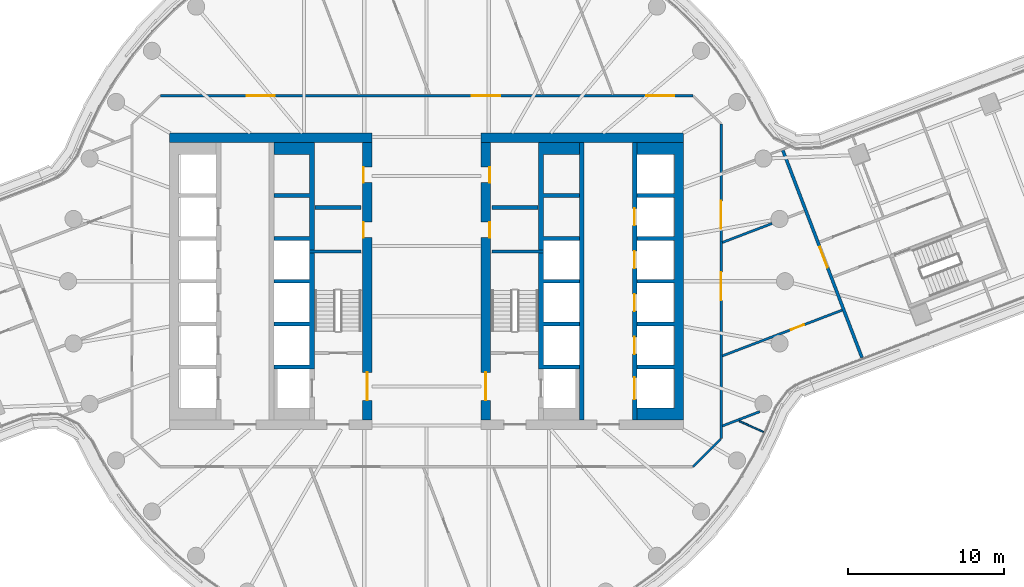
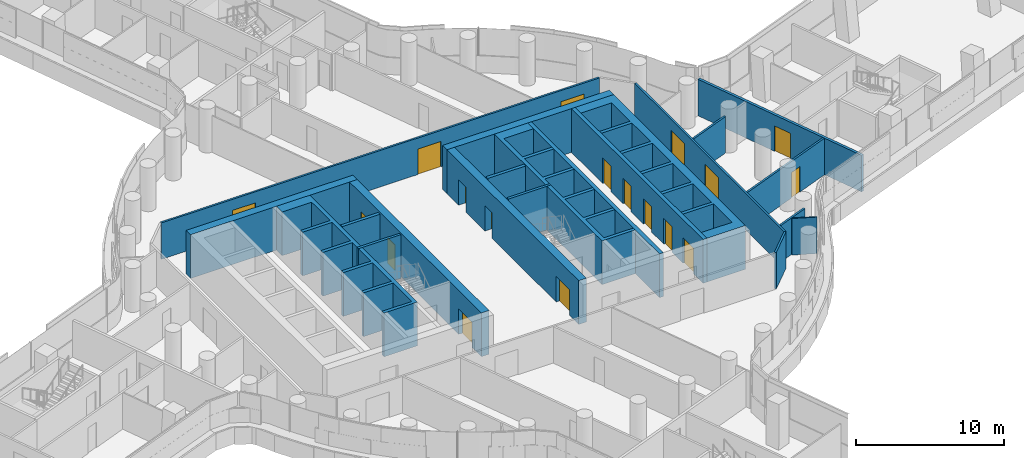
# One storey, part 22 of 32: 21 walls, 18 doors, 18 openings.
"""IFC4 building model written with IfcOpenShell, lengths in metres."""

from ifc_helpers import new_model, si_unit, direction, frame, frame_2d, origin, place, context, subcontext, project, spatial, polyline, rectangle, outline, extrude, material, layer, layer_set, type_object, element, fill, save


model = new_model("IFC4")

# Units and contexts
model_context = context("Model", 3, precision=1e-05, world=origin(), true_north=direction((0.0, 1.0)))
body_context = subcontext(model_context, "Body", "Model", "MODEL_VIEW")
ifc_project = project(units=[si_unit("LENGTHUNIT", "METRE"), si_unit("AREAUNIT", "SQUARE_METRE"), si_unit("VOLUMEUNIT", "CUBIC_METRE"), si_unit("PLANEANGLEUNIT", "RADIAN"), si_unit("MASSUNIT", "GRAM", prefix="KILO")], contexts=[model_context])

# Site, building, storey
site_placement = place(None, origin())
site = spatial("IfcSite", under=ifc_project, at=site_placement, CompositionType="ELEMENT")
building_placement = place(site_placement, origin())
building = spatial("IfcBuilding", under=site, at=building_placement, Name="Tamarind Cross Interchange Tower", CompositionType="ELEMENT")
storey_placement = place(building_placement, frame((0.0, 0.0, 109.75)))
storey = spatial("IfcBuildingStorey", under=building, at=storey_placement, Name="L26", CompositionType="ELEMENT", Elevation=109.75)

# Wall
ifc_material_1 = material(Name="Concrete C70", Category="concrete")
ifc_layer_1 = layer(ifc_material_1, 0.60009765625)
ifc_layer_set_1 = layer_set([ifc_layer_1], Name="Concrete C70")
wall_type_1 = type_object("IfcWallType", Name="Core wall 600 mm Concrete C70", PredefinedType="SHEAR", material=ifc_layer_set_1)
wall_1_placement = place(storey_placement, frame((-16.5, 9.199951171875, 0.0), z_axis=(0.0, 0.0, 1.0), x_axis=(1.0, 0.0, 0.0)))
element("IfcWall", 1, at=wall_1_placement, inside=storey, type_object=wall_type_1, Name="Core wall CWL-L26-W-NE", PredefinedType="SHEAR", context=body_context, shape_type="SweptSolid", body=[
    extrude(rectangle(XDim=13.0, YDim=0.60009765625, at=frame_2d((6.5, 0.0))), origin(), (0.0, 0.0, 1.0), 3.610107421875),
])

# Wall, openings, doors
wall_2_placement = place(storey_placement, frame((-3.800048828125, -8.89990234375, 0.0), z_axis=(0.0, 0.0, 1.0), x_axis=(0.0, 1.0, 0.0)))
wall_2 = element("IfcWall", 2, at=wall_2_placement, inside=storey, type_object=wall_type_1, Name="Core wall CWL-L26-W-IN", PredefinedType="SHEAR", context=body_context, shape_type="SweptSolid", body=[
    extrude(rectangle(XDim=17.7998046875, YDim=0.60009765625, at=frame_2d((8.89990234375, 0.0))), origin(), (0.0, 0.0, 1.0), 3.610107421875),
])
opening_1_placement = place(wall_2_placement, frame((1.25, 0.0, 0.0)))
opening_1 = element("IfcOpeningElement", 3, at=opening_1_placement, cuts=wall_2, Name="Opening DCW4", PredefinedType="OPENING", context=body_context, shape_type="SweptSolid", body=[
    extrude(rectangle(XDim=1.800048828125, YDim=2.10009765625, at=frame_2d((0.89990234375, 1.050048828125))), frame((0.0, 0.31005859375, 0.0), z_axis=(0.0, -1.0, 0.0), x_axis=(1.0, 0.0, 0.0)), (0.0, 0.0, 1.0), 0.6201171875),
])
opening_2_placement = place(wall_2_placement, frame((11.697509765625, 0.0, 0.0)))
opening_2 = element("IfcOpeningElement", 4, at=opening_2_placement, cuts=wall_2, Name="Opening DCW5", PredefinedType="OPENING", context=body_context, shape_type="SweptSolid", body=[
    extrude(rectangle(XDim=1.0, YDim=2.10009765625, at=frame_2d((0.5, 1.050048828125))), frame((0.0, 0.31005859375, 0.0), z_axis=(0.0, -1.0, 0.0), x_axis=(1.0, 0.0, 0.0)), (0.0, 0.0, 1.0), 0.6201171875),
])
opening_3_placement = place(wall_2_placement, frame((15.222412109375, 0.0, 0.0)))
opening_3 = element("IfcOpeningElement", 5, at=opening_3_placement, cuts=wall_2, Name="Opening DCW5", PredefinedType="OPENING", context=body_context, shape_type="SweptSolid", body=[
    extrude(rectangle(XDim=1.0, YDim=2.10009765625, at=frame_2d((0.5, 1.050048828125))), frame((0.0, 0.31005859375, 0.0), z_axis=(0.0, -1.0, 0.0), x_axis=(1.0, 0.0, 0.0)), (0.0, 0.0, 1.0), 0.6201171875),
])
ifc_material_2 = material(Name="Steel, fire-resisting", Category="steel")
door_type_1 = type_object("IfcDoorType", Name="Core fire door 1000 x 2100 FD90", OperationType="SINGLE_SWING_LEFT", PredefinedType="DOOR", material=ifc_material_2)
door_1_placement = place(opening_2_placement, origin())
door_1 = element("IfcDoor", 6, at=door_1_placement, inside=storey, type_object=door_type_1, Name="L26 comms room door", OperationType="SINGLE_SWING_LEFT", OverallHeight=2.10009765625, OverallWidth=1.0, PredefinedType="DOOR", context=body_context, shape_type="SweptSolid", body=[
    extrude(rectangle(XDim=1.0, YDim=2.10009765625, at=frame_2d((0.5, 1.050048828125))), frame((0.0, 0.27490234375, 0.0), z_axis=(0.0, -1.0, 0.0), x_axis=(1.0, 0.0, 0.0)), (0.0, 0.0, 1.0), 0.050048828125),
])
fill(opening_2, door_1)
door_2_placement = place(opening_3_placement, origin())
door_2 = element("IfcDoor", 7, at=door_2_placement, inside=storey, type_object=door_type_1, Name="L26 cleaner's store door", OperationType="SINGLE_SWING_LEFT", OverallHeight=2.10009765625, OverallWidth=1.0, PredefinedType="DOOR", context=body_context, shape_type="SweptSolid", body=[
    extrude(rectangle(XDim=1.0, YDim=2.10009765625, at=frame_2d((0.5, 1.050048828125))), frame((0.0, 0.27490234375, 0.0), z_axis=(0.0, -1.0, 0.0), x_axis=(1.0, 0.0, 0.0)), (0.0, 0.0, 1.0), 0.050048828125),
])
fill(opening_3, door_2)
door_type_2 = type_object("IfcDoorType", Name="Core fire door 1800 x 2100 FD90", OperationType="SINGLE_SWING_LEFT", PredefinedType="DOOR", material=ifc_material_2)
door_3_placement = place(opening_1_placement, origin())
door_3 = element("IfcDoor", 8, at=door_3_placement, inside=storey, type_object=door_type_2, Name="L26 firefighting lobby door", OperationType="SINGLE_SWING_LEFT", OverallHeight=2.10009765625, OverallWidth=1.800048828125, PredefinedType="DOOR", context=body_context, shape_type="SweptSolid", body=[
    extrude(rectangle(XDim=1.800048828125, YDim=2.10009765625, at=frame_2d((0.89990234375, 1.050048828125))), frame((0.0, 0.02490234375, 0.0), z_axis=(0.0, -1.0, 0.0), x_axis=(1.0, 0.0, 0.0)), (0.0, 0.0, 1.0), 0.050048828125),
])
fill(opening_1, door_3)

# Walls
wall_3_placement = place(storey_placement, origin())
element("IfcWall", 9, at=wall_3_placement, inside=storey, type_object=wall_type_1, Name="Core wall CWL-L26-E-A", PredefinedType="SHEAR", context=body_context, shape_type="SweptSolid", body=[
    extrude(outline(polyline([(13.5, -8.89990234375), (15.89990234375, -8.89990234375), (16.5, -8.89990234375), (16.5, 8.89990234375), (15.89990234375, 8.89990234375), (13.5, 8.89990234375), (13.5, 8.125), (15.89990234375, 8.125), (15.89990234375, 5.625), (13.5, 5.625), (13.5, 5.375), (15.89990234375, 5.375), (15.89990234375, 2.875), (13.5, 2.875), (13.5, 2.625), (15.89990234375, 2.625), (15.89990234375, 0.125), (13.5, 0.125), (13.5, -0.125), (15.89990234375, -0.125), (15.89990234375, -2.625), (13.5, -2.625), (13.5, -2.875), (15.89990234375, -2.875), (15.89990234375, -5.375), (13.5, -5.375), (13.5, -5.625), (15.89990234375, -5.625), (15.89990234375, -8.125), (13.5, -8.125), (13.5, -8.89990234375)])), origin(), (0.0, 0.0, 1.0), 3.610107421875),
])
wall_4_placement = place(storey_placement, frame((16.5, 9.199951171875, 0.0), z_axis=(0.0, 0.0, 1.0), x_axis=(-1.0, 0.0, 0.0)))
element("IfcWall", 10, at=wall_4_placement, inside=storey, type_object=wall_type_1, Name="Core wall CWL-L26-E-NE", PredefinedType="SHEAR", context=body_context, shape_type="SweptSolid", body=[
    extrude(rectangle(XDim=13.0, YDim=0.60009765625, at=frame_2d((6.5, 0.0))), origin(), (0.0, 0.0, 1.0), 3.610107421875),
])

# Wall, openings, doors
wall_5_placement = place(storey_placement, frame((3.800048828125, -8.89990234375, 0.0), z_axis=(0.0, 0.0, 1.0), x_axis=(0.0, 1.0, 0.0)))
wall_5 = element("IfcWall", 11, at=wall_5_placement, inside=storey, type_object=wall_type_1, Name="Core wall CWL-L26-E-IN", PredefinedType="SHEAR", context=body_context, shape_type="SweptSolid", body=[
    extrude(rectangle(XDim=17.7998046875, YDim=0.60009765625, at=frame_2d((8.89990234375, 0.0))), origin(), (0.0, 0.0, 1.0), 3.610107421875),
])
opening_4_placement = place(wall_5_placement, frame((1.25, 0.0, 0.0)))
opening_4 = element("IfcOpeningElement", 12, at=opening_4_placement, cuts=wall_5, Name="Opening DCE4", PredefinedType="OPENING", context=body_context, shape_type="SweptSolid", body=[
    extrude(rectangle(XDim=1.800048828125, YDim=2.10009765625, at=frame_2d((0.89990234375, 1.050048828125))), frame((0.0, 0.31005859375, 0.0), z_axis=(0.0, -1.0, 0.0), x_axis=(1.0, 0.0, 0.0)), (0.0, 0.0, 1.0), 0.6201171875),
])
opening_5_placement = place(wall_5_placement, frame((11.697509765625, 0.0, 0.0)))
opening_5 = element("IfcOpeningElement", 13, at=opening_5_placement, cuts=wall_5, Name="Opening DCE5", PredefinedType="OPENING", context=body_context, shape_type="SweptSolid", body=[
    extrude(rectangle(XDim=1.0, YDim=2.10009765625, at=frame_2d((0.5, 1.050048828125))), frame((0.0, 0.31005859375, 0.0), z_axis=(0.0, -1.0, 0.0), x_axis=(1.0, 0.0, 0.0)), (0.0, 0.0, 1.0), 0.6201171875),
])
opening_6_placement = place(wall_5_placement, frame((15.222412109375, 0.0, 0.0)))
opening_6 = element("IfcOpeningElement", 14, at=opening_6_placement, cuts=wall_5, Name="Opening DCE5", PredefinedType="OPENING", context=body_context, shape_type="SweptSolid", body=[
    extrude(rectangle(XDim=1.0, YDim=2.10009765625, at=frame_2d((0.5, 1.050048828125))), frame((0.0, 0.31005859375, 0.0), z_axis=(0.0, -1.0, 0.0), x_axis=(1.0, 0.0, 0.0)), (0.0, 0.0, 1.0), 0.6201171875),
])
door_4_placement = place(opening_5_placement, origin())
door_4 = element("IfcDoor", 15, at=door_4_placement, inside=storey, type_object=door_type_1, Name="L26 comms room door", OperationType="SINGLE_SWING_LEFT", OverallHeight=2.10009765625, OverallWidth=1.0, PredefinedType="DOOR", context=body_context, shape_type="SweptSolid", body=[
    extrude(rectangle(XDim=1.0, YDim=2.10009765625, at=frame_2d((0.5, 1.050048828125))), frame((0.0, -0.22509765625, 0.0), z_axis=(0.0, -1.0, 0.0), x_axis=(1.0, 0.0, 0.0)), (0.0, 0.0, 1.0), 0.050048828125),
])
fill(opening_5, door_4)
door_5_placement = place(opening_6_placement, origin())
door_5 = element("IfcDoor", 16, at=door_5_placement, inside=storey, type_object=door_type_1, Name="L26 cleaner's store door", OperationType="SINGLE_SWING_LEFT", OverallHeight=2.10009765625, OverallWidth=1.0, PredefinedType="DOOR", context=body_context, shape_type="SweptSolid", body=[
    extrude(rectangle(XDim=1.0, YDim=2.10009765625, at=frame_2d((0.5, 1.050048828125))), frame((0.0, -0.22509765625, 0.0), z_axis=(0.0, -1.0, 0.0), x_axis=(1.0, 0.0, 0.0)), (0.0, 0.0, 1.0), 0.050048828125),
])
fill(opening_6, door_5)
door_6_placement = place(opening_4_placement, origin())
door_6 = element("IfcDoor", 17, at=door_6_placement, inside=storey, type_object=door_type_2, Name="L26 firefighting lobby door", OperationType="SINGLE_SWING_LEFT", OverallHeight=2.10009765625, OverallWidth=1.800048828125, PredefinedType="DOOR", context=body_context, shape_type="SweptSolid", body=[
    extrude(rectangle(XDim=1.800048828125, YDim=2.10009765625, at=frame_2d((0.89990234375, 1.050048828125))), frame((0.0, 0.02490234375, 0.0), z_axis=(0.0, -1.0, 0.0), x_axis=(1.0, 0.0, 0.0)), (0.0, 0.0, 1.0), 0.050048828125),
])
fill(opening_4, door_6)

# Walls
ifc_layer_2 = layer(ifc_material_1, 0.199951171875)
ifc_layer_set_2 = layer_set([ifc_layer_2], Name="Concrete C70")
wall_type_2 = type_object("IfcWallType", Name="Core web wall 200 mm Concrete C70", PredefinedType="SHEAR", material=ifc_layer_set_2)
for number, where, z_axis, x_axis, name in (
    (18, (-7.5, 1.89990234375, 0.0), (0.0, 0.0, 1.0), (1.0, 0.0, 0.0), "Core wall CWL-L26-W-BD"),
    (19, (7.5, 1.89990234375, 0.0), (0.0, 0.0, 1.0), (-1.0, 0.0, 0.0), "Core wall CWL-L26-E-BD"),
):
    element("IfcWall", number, at=place(storey_placement, frame(where, z_axis=z_axis, x_axis=x_axis)), inside=storey, type_object=wall_type_2, Name=name, PredefinedType="SHEAR", context=body_context, shape_type="SweptSolid", body=[
        extrude(rectangle(XDim=3.300048828125, YDim=0.199951171875, at=frame_2d((1.64990234375, 0.0))), origin(), (0.0, 0.0, 1.0), 3.610107421875),
    ])
ifc_layer_3 = layer(ifc_material_1, 0.300048828125)
ifc_layer_set_3 = layer_set([ifc_layer_3], Name="Concrete C70")
wall_type_3 = type_object("IfcWallType", Name="Core web wall 300 mm Concrete C70", PredefinedType="SHEAR", material=ifc_layer_set_3)
wall_6_placement = place(storey_placement, origin())
element("IfcWall", 20, at=wall_6_placement, inside=storey, type_object=wall_type_3, Name="Core wall CWL-L26-W-BN", PredefinedType="SHEAR", context=body_context, shape_type="SweptSolid", body=[
    extrude(outline(polyline([(-9.800048828125, -5.375), (-9.800048828125, -5.625), (-7.5, -5.625), (-7.199951171875, -5.625), (-7.199951171875, 8.89990234375), (-7.5, 8.89990234375), (-9.800048828125, 8.89990234375), (-9.800048828125, 8.125), (-7.5, 8.125), (-7.5, 5.625), (-9.800048828125, 5.625), (-9.800048828125, 5.375), (-7.5, 5.375), (-7.5, 2.875), (-9.800048828125, 2.875), (-9.800048828125, 2.625), (-7.5, 2.625), (-7.5, 0.125), (-9.800048828125, 0.125), (-9.800048828125, -0.125), (-7.5, -0.125), (-7.5, -2.625), (-9.800048828125, -2.625), (-9.800048828125, -2.875), (-7.5, -2.875), (-7.5, -5.375), (-9.800048828125, -5.375)])), origin(), (0.0, 0.0, 1.0), 3.610107421875),
])
wall_7_placement = place(storey_placement, origin())
element("IfcWall", 21, at=wall_7_placement, inside=storey, type_object=wall_type_3, Name="Core wall CWL-L26-E-BN", PredefinedType="SHEAR", context=body_context, shape_type="SweptSolid", body=[
    extrude(outline(polyline([(9.800048828125, -5.375), (7.5, -5.375), (7.5, -2.875), (9.800048828125, -2.875), (9.800048828125, -2.625), (7.5, -2.625), (7.5, -0.125), (9.800048828125, -0.125), (9.800048828125, 0.125), (7.5, 0.125), (7.5, 2.625), (9.800048828125, 2.625), (9.800048828125, 2.875), (7.5, 2.875), (7.5, 5.375), (9.800048828125, 5.375), (9.800048828125, 5.625), (7.5, 5.625), (7.5, 8.125), (9.800048828125, 8.125), (9.800048828125, 8.89990234375), (7.5, 8.89990234375), (7.199951171875, 8.89990234375), (7.199951171875, -5.625), (7.5, -5.625), (9.800048828125, -5.625), (9.800048828125, -5.375)])), origin(), (0.0, 0.0, 1.0), 3.610107421875),
])

# Wall, openings, doors
wall_8_placement = place(storey_placement, frame((13.35009765625, -8.89990234375, 0.0), z_axis=(0.0, 0.0, 1.0), x_axis=(0.0, 1.0, 0.0)))
wall_8 = element("IfcWall", 22, at=wall_8_placement, inside=storey, type_object=wall_type_3, Name="Core wall CWL-L26-E-LA", PredefinedType="SHEAR", context=body_context, shape_type="SweptSolid", body=[
    extrude(rectangle(XDim=17.7998046875, YDim=0.300048828125, at=frame_2d((8.89990234375, 0.0))), origin(), (0.0, 0.0, 1.0), 3.610107421875),
])
opening_7_placement = place(wall_8_placement, frame((1.324951171875, 0.0, 0.0)))
opening_7 = element("IfcOpeningElement", 23, at=opening_7_placement, cuts=wall_8, Name="Opening LD13L26", PredefinedType="OPENING", context=body_context, shape_type="SweptSolid", body=[
    extrude(rectangle(XDim=1.39990234375, YDim=2.10009765625, at=frame_2d((0.699951171875, 1.050048828125))), frame((0.0, 0.159912109375, 0.0), z_axis=(0.0, -1.0, 0.0), x_axis=(1.0, 0.0, 0.0)), (0.0, 0.0, 1.0), 0.320068359375),
])
opening_8_placement = place(wall_8_placement, frame((4.22509765625, 0.0, 0.0)))
opening_8 = element("IfcOpeningElement", 24, at=opening_8_placement, cuts=wall_8, Name="Opening LD14L26", PredefinedType="OPENING", context=body_context, shape_type="SweptSolid", body=[
    extrude(rectangle(XDim=1.10009765625, YDim=2.10009765625, at=frame_2d((0.550048828125, 1.050048828125))), frame((0.0, 0.159912109375, 0.0), z_axis=(0.0, -1.0, 0.0), x_axis=(1.0, 0.0, 0.0)), (0.0, 0.0, 1.0), 0.320068359375),
])
opening_9_placement = place(wall_8_placement, frame((6.97509765625, 0.0, 0.0)))
opening_9 = element("IfcOpeningElement", 25, at=opening_9_placement, cuts=wall_8, Name="Opening LD15L26", PredefinedType="OPENING", context=body_context, shape_type="SweptSolid", body=[
    extrude(rectangle(XDim=1.10009765625, YDim=2.10009765625, at=frame_2d((0.550048828125, 1.050048828125))), frame((0.0, 0.159912109375, 0.0), z_axis=(0.0, -1.0, 0.0), x_axis=(1.0, 0.0, 0.0)), (0.0, 0.0, 1.0), 0.320068359375),
])
opening_10_placement = place(wall_8_placement, frame((9.72509765625, 0.0, 0.0)))
opening_10 = element("IfcOpeningElement", 26, at=opening_10_placement, cuts=wall_8, Name="Opening LD16L26", PredefinedType="OPENING", context=body_context, shape_type="SweptSolid", body=[
    extrude(rectangle(XDim=1.10009765625, YDim=2.10009765625, at=frame_2d((0.550048828125, 1.050048828125))), frame((0.0, 0.159912109375, 0.0), z_axis=(0.0, -1.0, 0.0), x_axis=(1.0, 0.0, 0.0)), (0.0, 0.0, 1.0), 0.320068359375),
])
opening_11_placement = place(wall_8_placement, frame((12.47509765625, 0.0, 0.0)))
opening_11 = element("IfcOpeningElement", 27, at=opening_11_placement, cuts=wall_8, Name="Opening LD17L26", PredefinedType="OPENING", context=body_context, shape_type="SweptSolid", body=[
    extrude(rectangle(XDim=1.10009765625, YDim=2.10009765625, at=frame_2d((0.550048828125, 1.050048828125))), frame((0.0, 0.159912109375, 0.0), z_axis=(0.0, -1.0, 0.0), x_axis=(1.0, 0.0, 0.0)), (0.0, 0.0, 1.0), 0.320068359375),
])
ifc_material_3 = material(Name="Stainless steel panel", Category="steel")
door_type_3 = type_object("IfcDoorType", Name="Lift landing door 1100 x 2100 E 120", OperationType="SLIDING_TO_LEFT", PredefinedType="DOOR", material=ifc_material_3)
door_7_placement = place(opening_8_placement, origin())
door_7 = element("IfcDoor", 28, at=door_7_placement, inside=storey, type_object=door_type_3, Name="L26 landing door LF14", OperationType="SLIDING_TO_LEFT", OverallHeight=2.10009765625, OverallWidth=1.10009765625, PredefinedType="DOOR", context=body_context, shape_type="SweptSolid", body=[
    extrude(rectangle(XDim=1.10009765625, YDim=2.10009765625, at=frame_2d((0.550048828125, 1.050048828125))), frame((0.0, 0.02490234375, 0.0), z_axis=(0.0, -1.0, 0.0), x_axis=(1.0, 0.0, 0.0)), (0.0, 0.0, 1.0), 0.050048828125),
])
fill(opening_8, door_7)
door_8_placement = place(opening_9_placement, origin())
door_8 = element("IfcDoor", 29, at=door_8_placement, inside=storey, type_object=door_type_3, Name="L26 landing door LF15", OperationType="SLIDING_TO_LEFT", OverallHeight=2.10009765625, OverallWidth=1.10009765625, PredefinedType="DOOR", context=body_context, shape_type="SweptSolid", body=[
    extrude(rectangle(XDim=1.10009765625, YDim=2.10009765625, at=frame_2d((0.550048828125, 1.050048828125))), frame((0.0, 0.02490234375, 0.0), z_axis=(0.0, -1.0, 0.0), x_axis=(1.0, 0.0, 0.0)), (0.0, 0.0, 1.0), 0.050048828125),
])
fill(opening_9, door_8)
door_9_placement = place(opening_10_placement, origin())
door_9 = element("IfcDoor", 30, at=door_9_placement, inside=storey, type_object=door_type_3, Name="L26 landing door LF16", OperationType="SLIDING_TO_LEFT", OverallHeight=2.10009765625, OverallWidth=1.10009765625, PredefinedType="DOOR", context=body_context, shape_type="SweptSolid", body=[
    extrude(rectangle(XDim=1.10009765625, YDim=2.10009765625, at=frame_2d((0.550048828125, 1.050048828125))), frame((0.0, 0.02490234375, 0.0), z_axis=(0.0, -1.0, 0.0), x_axis=(1.0, 0.0, 0.0)), (0.0, 0.0, 1.0), 0.050048828125),
])
fill(opening_10, door_9)
door_10_placement = place(opening_11_placement, origin())
door_10 = element("IfcDoor", 31, at=door_10_placement, inside=storey, type_object=door_type_3, Name="L26 landing door LF17", OperationType="SLIDING_TO_LEFT", OverallHeight=2.10009765625, OverallWidth=1.10009765625, PredefinedType="DOOR", context=body_context, shape_type="SweptSolid", body=[
    extrude(rectangle(XDim=1.10009765625, YDim=2.10009765625, at=frame_2d((0.550048828125, 1.050048828125))), frame((0.0, 0.02490234375, 0.0), z_axis=(0.0, -1.0, 0.0), x_axis=(1.0, 0.0, 0.0)), (0.0, 0.0, 1.0), 0.050048828125),
])
fill(opening_11, door_10)
door_type_4 = type_object("IfcDoorType", Name="Lift landing door 1400 x 2100 E 120", OperationType="SLIDING_TO_LEFT", PredefinedType="DOOR", material=ifc_material_3)
door_11_placement = place(opening_7_placement, origin())
door_11 = element("IfcDoor", 32, at=door_11_placement, inside=storey, type_object=door_type_4, Name="L26 landing door LF13", OperationType="SLIDING_TO_LEFT", OverallHeight=2.10009765625, OverallWidth=1.39990234375, PredefinedType="DOOR", context=body_context, shape_type="SweptSolid", body=[
    extrude(rectangle(XDim=1.39990234375, YDim=2.10009765625, at=frame_2d((0.699951171875, 1.050048828125))), frame((0.0, 0.02490234375, 0.0), z_axis=(0.0, -1.0, 0.0), x_axis=(1.0, 0.0, 0.0)), (0.0, 0.0, 1.0), 0.050048828125),
])
fill(opening_7, door_11)

# Walls
wall_9_placement = place(storey_placement, frame((9.949951171875, -8.89990234375, 0.0), z_axis=(0.0, 0.0, 1.0), x_axis=(0.0, 1.0, 0.0)))
element("IfcWall", 33, at=wall_9_placement, inside=storey, type_object=wall_type_3, Name="Core wall CWL-L26-E-LB", PredefinedType="SHEAR", context=body_context, shape_type="SweptSolid", body=[
    extrude(rectangle(XDim=17.7998046875, YDim=0.300048828125, at=frame_2d((8.89990234375, 0.0))), origin(), (0.0, 0.0, 1.0), 3.610107421875),
])
ifc_material_4 = material(Name="Gypsum board partition on steel studs", Category="steel")
ifc_layer_4 = layer(ifc_material_4, 0.10009765625)
ifc_layer_set_4 = layer_set([ifc_layer_4], Name="Gypsum board partition on steel studs")
wall_type_4 = type_object("IfcWallType", Name="Partition 100 mm EI 90", PredefinedType="PARTITIONING", material=ifc_layer_set_4)
wall_10_placement = place(storey_placement, frame((20.068359375, -8.976806640625, 0.0), z_axis=(0.0, 0.0, 1.0), x_axis=(0.912837968318, -0.408321985199, 0.0)))
element("IfcWall", 34, at=wall_10_placement, inside=storey, type_object=wall_type_4, Name="Partition L26-035", PredefinedType="PARTITIONING", context=body_context, shape_type="SweptSolid", body=[
    extrude(rectangle(XDim=1.700439453125, YDim=0.10009765625, at=frame_2d((0.85009765625, 0.0))), origin(), (0.0, 0.0, 1.0), 3.010009765625),
])

# Wall, openings, doors
ifc_layer_5 = layer(ifc_material_4, 0.14990234375)
ifc_layer_set_5 = layer_set([ifc_layer_5], Name="Gypsum board partition on steel studs")
wall_type_5 = type_object("IfcWallType", Name="Partition 150 mm EI 120", PredefinedType="PARTITIONING", material=ifc_layer_set_5)
wall_11_placement = place(storey_placement, frame((-17.06494140625, 11.89990234375, 0.0), z_axis=(0.0, 0.0, 1.0), x_axis=(1.0, 0.0, 0.0)))
wall_11 = element("IfcWall", 35, at=wall_11_placement, inside=storey, type_object=wall_type_5, Name="Partition L26-037", PredefinedType="PARTITIONING", context=body_context, shape_type="SweptSolid", body=[
    extrude(rectangle(XDim=34.1650390625, YDim=0.14990234375, at=frame_2d((17.08251953125, 0.0))), origin(), (0.0, 0.0, 1.0), 3.010009765625),
])
opening_12_placement = place(wall_11_placement, frame((19.98193359375, 0.0, 0.0)))
opening_12 = element("IfcOpeningElement", 36, at=opening_12_placement, cuts=wall_11, Name="Opening D26", PredefinedType="OPENING", context=body_context, shape_type="SweptSolid", body=[
    extrude(rectangle(XDim=1.800048828125, YDim=2.10009765625, at=frame_2d((0.89990234375, 1.050048828125))), frame((0.0, 0.0849609375, 0.0), z_axis=(0.0, -1.0, 0.0), x_axis=(1.0, 0.0, 0.0)), (0.0, 0.0, 1.0), 0.169921875),
])
opening_13_placement = place(wall_11_placement, frame((31.156005859375, 0.0, 0.0)))
opening_13 = element("IfcOpeningElement", 37, at=opening_13_placement, cuts=wall_11, Name="Opening D27", PredefinedType="OPENING", context=body_context, shape_type="SweptSolid", body=[
    extrude(rectangle(XDim=1.800048828125, YDim=2.10009765625, at=frame_2d((0.89990234375, 1.050048828125))), frame((0.0, 0.0849609375, 0.0), z_axis=(0.0, -1.0, 0.0), x_axis=(1.0, 0.0, 0.0)), (0.0, 0.0, 1.0), 0.169921875),
])
opening_14_placement = place(wall_11_placement, frame((5.514892578125, 0.0, 0.0)))
opening_14 = element("IfcOpeningElement", 38, at=opening_14_placement, cuts=wall_11, Name="Opening D28", PredefinedType="OPENING", context=body_context, shape_type="SweptSolid", body=[
    extrude(rectangle(XDim=1.800048828125, YDim=2.10009765625, at=frame_2d((0.89990234375, 1.050048828125))), frame((0.0, 0.0849609375, 0.0), z_axis=(0.0, -1.0, 0.0), x_axis=(1.0, 0.0, 0.0)), (0.0, 0.0, 1.0), 0.169921875),
])
ifc_material_5 = material(Name="Fire-resisting door set")
door_type_5 = type_object("IfcDoorType", Name="Interior door 1800 x 2100 FD60S", OperationType="DOUBLE_DOOR_SINGLE_SWING", PredefinedType="DOOR", material=ifc_material_5)
door_12_placement = place(opening_12_placement, frame((1.800048828125, 0.0, 0.0), z_axis=(0.0, 0.0, 1.0), x_axis=(-1.0, 0.0, 0.0)))
door_12 = element("IfcDoor", 39, at=door_12_placement, inside=storey, type_object=door_type_5, Name="Door D26", OperationType="DOUBLE_DOOR_SINGLE_SWING", OverallHeight=2.10009765625, OverallWidth=1.800048828125, PredefinedType="DOOR", context=body_context, shape_type="SweptSolid", body=[
    extrude(rectangle(XDim=1.800048828125, YDim=2.10009765625, at=frame_2d((0.89990234375, 1.050048828125))), frame((0.0, 0.02490234375, 0.0), z_axis=(0.0, -1.0, 0.0), x_axis=(1.0, 0.0, 0.0)), (0.0, 0.0, 1.0), 0.050048828125),
])
fill(opening_12, door_12)
door_13_placement = place(opening_13_placement, origin())
door_13 = element("IfcDoor", 40, at=door_13_placement, inside=storey, type_object=door_type_5, Name="Door D27", OperationType="DOUBLE_DOOR_SINGLE_SWING", OverallHeight=2.10009765625, OverallWidth=1.800048828125, PredefinedType="DOOR", context=body_context, shape_type="SweptSolid", body=[
    extrude(rectangle(XDim=1.800048828125, YDim=2.10009765625, at=frame_2d((0.89990234375, 1.050048828125))), frame((0.0, 0.02490234375, 0.0), z_axis=(0.0, -1.0, 0.0), x_axis=(1.0, 0.0, 0.0)), (0.0, 0.0, 1.0), 0.050048828125),
])
fill(opening_13, door_13)
door_14_placement = place(opening_14_placement, origin())
door_14 = element("IfcDoor", 41, at=door_14_placement, inside=storey, type_object=door_type_5, Name="Door D28", OperationType="DOUBLE_DOOR_SINGLE_SWING", OverallHeight=2.10009765625, OverallWidth=1.800048828125, PredefinedType="DOOR", context=body_context, shape_type="SweptSolid", body=[
    extrude(rectangle(XDim=1.800048828125, YDim=2.10009765625, at=frame_2d((0.89990234375, 1.050048828125))), frame((0.0, 0.02490234375, 0.0), z_axis=(0.0, -1.0, 0.0), x_axis=(1.0, 0.0, 0.0)), (0.0, 0.0, 1.0), 0.050048828125),
])
fill(opening_14, door_14)

# Wall
wall_12_placement = place(storey_placement, frame((18.984130859375, -9.286865234375, 0.0), z_axis=(0.0, 0.0, 1.0), x_axis=(0.93393084705, 0.357453735368, 0.0)))
element("IfcWall", 42, at=wall_12_placement, inside=storey, type_object=wall_type_5, Name="Partition L26-064", PredefinedType="PARTITIONING", context=body_context, shape_type="SweptSolid", body=[
    extrude(rectangle(XDim=2.574951171875, YDim=0.14990234375, at=frame_2d((1.28759765625, 0.0))), origin(), (0.0, 0.0, 1.0), 3.010009765625),
])

# Wall, opening, door
wall_13_placement = place(storey_placement, frame((18.984130859375, -4.791015625, 0.0), z_axis=(0.0, 0.0, 1.0), x_axis=(0.934218386179, 0.356701565632, 0.0)))
wall_13 = element("IfcWall", 43, at=wall_13_placement, inside=storey, type_object=wall_type_5, Name="Partition L26-065", PredefinedType="PARTITIONING", context=body_context, shape_type="SweptSolid", body=[
    extrude(rectangle(XDim=8.221435546875, YDim=0.14990234375, at=frame_2d((4.11083984375, 0.0))), origin(), (0.0, 0.0, 1.0), 3.010009765625),
])
opening_15_placement = place(wall_13_placement, frame((4.7099609375, 0.0, 0.0)))
opening_15 = element("IfcOpeningElement", 44, at=opening_15_placement, cuts=wall_13, Name="Opening D37", PredefinedType="OPENING", context=body_context, shape_type="SweptSolid", body=[
    extrude(rectangle(XDim=0.89990234375, YDim=2.10009765625, at=frame_2d((0.449951171875, 1.050048828125))), frame((0.0, 0.0849609375, 0.0), z_axis=(0.0, -1.0, 0.0), x_axis=(1.0, 0.0, 0.0)), (0.0, 0.0, 1.0), 0.169921875),
])
door_type_6 = type_object("IfcDoorType", Name="Interior door 900 x 2100 FD60S", OperationType="SINGLE_SWING_LEFT", PredefinedType="DOOR", material=ifc_material_5)
door_15_placement = place(opening_15_placement, frame((0.89990234375, 0.0, 0.0), z_axis=(0.0, 0.0, 1.0), x_axis=(-1.0, 0.0, 0.0)))
door_15 = element("IfcDoor", 45, at=door_15_placement, inside=storey, type_object=door_type_6, Name="Door D37", OperationType="SINGLE_SWING_RIGHT", OverallHeight=2.10009765625, OverallWidth=0.89990234375, PredefinedType="DOOR", context=body_context, shape_type="SweptSolid", body=[
    extrude(rectangle(XDim=0.89990234375, YDim=2.10009765625, at=frame_2d((0.449951171875, 1.050048828125))), frame((0.0, 0.02490234375, 0.0), z_axis=(0.0, -1.0, 0.0), x_axis=(1.0, 0.0, 0.0)), (0.0, 0.0, 1.0), 0.050048828125),
])
fill(opening_15, door_15)

# Walls
wall_14_placement = place(storey_placement, frame((18.984130859375, 2.488037109375, 0.0), z_axis=(0.0, 0.0, 1.0), x_axis=(0.934220119269, 0.356697026555, 0.0)))
element("IfcWall", 46, at=wall_14_placement, inside=storey, type_object=wall_type_5, Name="Partition L26-066", PredefinedType="PARTITIONING", context=body_context, shape_type="SweptSolid", body=[
    extrude(rectangle(XDim=3.4140625, YDim=0.14990234375, at=frame_2d((1.70703125, 0.0))), origin(), (0.0, 0.0, 1.0), 3.010009765625),
])
wall_15_placement = place(storey_placement, frame((17.10009765625, -11.89990234375, 0.0), z_axis=(0.0, 0.0, 1.0), x_axis=(0.707106781187, 0.707106781187, 0.0)))
element("IfcWall", 47, at=wall_15_placement, inside=storey, type_object=wall_type_5, Name="Partition L26-073", PredefinedType="PARTITIONING", context=body_context, shape_type="SweptSolid", body=[
    extrude(rectangle(XDim=2.50537109375, YDim=0.14990234375, at=frame_2d((1.252685546875, 0.0))), origin(), (0.0, 0.0, 1.0), 3.010009765625),
])

# Wall, openings, doors
wall_16_placement = place(storey_placement, frame((18.89990234375, -10.10009765625, 0.0), z_axis=(0.0, 0.0, 1.0), x_axis=(0.0, 1.0, 0.0)))
wall_16 = element("IfcWall", 48, at=wall_16_placement, inside=storey, type_object=wall_type_5, Name="Partition L26-077", PredefinedType="PARTITIONING", context=body_context, shape_type="SweptSolid", body=[
    extrude(rectangle(XDim=20.2001953125, YDim=0.14990234375, at=frame_2d((10.10009765625, 0.0))), origin(), (0.0, 0.0, 1.0), 3.010009765625),
])
opening_16_placement = place(wall_16_placement, frame((8.876953125, 0.0, 0.0)))
opening_16 = element("IfcOpeningElement", 49, at=opening_16_placement, cuts=wall_16, Name="Opening D43", PredefinedType="OPENING", context=body_context, shape_type="SweptSolid", body=[
    extrude(rectangle(XDim=1.800048828125, YDim=2.10009765625, at=frame_2d((0.89990234375, 1.050048828125))), frame((0.0, 0.0849609375, 0.0), z_axis=(0.0, -1.0, 0.0), x_axis=(1.0, 0.0, 0.0)), (0.0, 0.0, 1.0), 0.169921875),
])
opening_17_placement = place(wall_16_placement, frame((13.4560546875, 0.0, 0.0)))
opening_17 = element("IfcOpeningElement", 50, at=opening_17_placement, cuts=wall_16, Name="Opening D44", PredefinedType="OPENING", context=body_context, shape_type="SweptSolid", body=[
    extrude(rectangle(XDim=1.800048828125, YDim=2.10009765625, at=frame_2d((0.89990234375, 1.050048828125))), frame((0.0, 0.0849609375, 0.0), z_axis=(0.0, -1.0, 0.0), x_axis=(1.0, 0.0, 0.0)), (0.0, 0.0, 1.0), 0.169921875),
])
door_16_placement = place(opening_16_placement, origin())
door_16 = element("IfcDoor", 51, at=door_16_placement, inside=storey, type_object=door_type_5, Name="Door D43", OperationType="DOUBLE_DOOR_SINGLE_SWING", OverallHeight=2.10009765625, OverallWidth=1.800048828125, PredefinedType="DOOR", context=body_context, shape_type="SweptSolid", body=[
    extrude(rectangle(XDim=1.800048828125, YDim=2.10009765625, at=frame_2d((0.89990234375, 1.050048828125))), frame((0.0, 0.02490234375, 0.0), z_axis=(0.0, -1.0, 0.0), x_axis=(1.0, 0.0, 0.0)), (0.0, 0.0, 1.0), 0.050048828125),
])
fill(opening_16, door_16)
door_17_placement = place(opening_17_placement, frame((1.800048828125, 0.0, 0.0), z_axis=(0.0, 0.0, 1.0), x_axis=(-1.0, 0.0, 0.0)))
door_17 = element("IfcDoor", 52, at=door_17_placement, inside=storey, type_object=door_type_5, Name="Door D44", OperationType="DOUBLE_DOOR_SINGLE_SWING", OverallHeight=2.10009765625, OverallWidth=1.800048828125, PredefinedType="DOOR", context=body_context, shape_type="SweptSolid", body=[
    extrude(rectangle(XDim=1.800048828125, YDim=2.10009765625, at=frame_2d((0.89990234375, 1.050048828125))), frame((0.0, 0.02490234375, 0.0), z_axis=(0.0, -1.0, 0.0), x_axis=(1.0, 0.0, 0.0)), (0.0, 0.0, 1.0), 0.050048828125),
])
fill(opening_17, door_17)

# Wall, opening, door
ifc_layer_6 = layer(ifc_material_4, 0.199951171875)
ifc_layer_set_6 = layer_set([ifc_layer_6], Name="Gypsum board partition on steel studs")
wall_type_6 = type_object("IfcWallType", Name="Partition 200 mm EI 180", PredefinedType="PARTITIONING", material=ifc_layer_set_6)
wall_17_placement = place(storey_placement, frame((22.856689453125, 8.408203125, 0.0), z_axis=(0.0, 0.0, 1.0), x_axis=(0.356739087103, -0.934204058936, 0.0)))
wall_17 = element("IfcWall", 53, at=wall_17_placement, inside=storey, type_object=wall_type_6, Name="Partition L26-027", PredefinedType="PARTITIONING", context=body_context, shape_type="SweptSolid", body=[
    extrude(rectangle(XDim=14.24853515625, YDim=0.199951171875, at=frame_2d((7.124267578125, 0.0))), origin(), (0.0, 0.0, 1.0), 3.010009765625),
])
opening_18_placement = place(wall_17_placement, frame((6.64990234375, 0.0, 0.0)))
opening_18 = element("IfcOpeningElement", 54, at=opening_18_placement, cuts=wall_17, Name="Opening D21", PredefinedType="OPENING", context=body_context, shape_type="SweptSolid", body=[
    extrude(rectangle(XDim=1.39990234375, YDim=2.10009765625, at=frame_2d((0.699951171875, 1.050048828125))), frame((0.0, 0.10986328125, 0.0), z_axis=(0.0, -1.0, 0.0), x_axis=(1.0, 0.0, 0.0)), (0.0, 0.0, 1.0), 0.219970703125),
])
door_type_7 = type_object("IfcDoorType", Name="Interior door 1400 x 2100 FD120S", OperationType="DOUBLE_DOOR_SINGLE_SWING", PredefinedType="DOOR", material=ifc_material_5)
door_18_placement = place(opening_18_placement, frame((1.39990234375, 0.0, 0.0), z_axis=(0.0, 0.0, 1.0), x_axis=(-1.0, 0.0, 0.0)))
door_18 = element("IfcDoor", 55, at=door_18_placement, inside=storey, type_object=door_type_7, Name="Door D21", OperationType="DOUBLE_DOOR_SINGLE_SWING", OverallHeight=2.10009765625, OverallWidth=1.39990234375, PredefinedType="DOOR", context=body_context, shape_type="SweptSolid", body=[
    extrude(rectangle(XDim=1.39990234375, YDim=2.10009765625, at=frame_2d((0.699951171875, 1.050048828125))), frame((0.0, 0.02490234375, 0.0), z_axis=(0.0, -1.0, 0.0), x_axis=(1.0, 0.0, 0.0)), (0.0, 0.0, 1.0), 0.050048828125),
])
fill(opening_18, door_18)

# Walls
ifc_material_6 = material(Name="Concrete C40", Category="concrete")
ifc_layer_7 = layer(ifc_material_6, 0.25)
ifc_layer_set_7 = layer_set([ifc_layer_7], Name="Concrete C40")
wall_type_7 = type_object("IfcWallType", Name="Shaft and lobby wall 250 mm Concrete C40", PredefinedType="PARTITIONING", material=ifc_layer_set_7)
for number, where, z_axis, x_axis, name in (
    (56, (-7.14990234375, 4.719970703125, 0.0), (0.0, 0.0, 1.0), (1.0, 0.0, 0.0), "Shaft wall CWL-L26-W-SVP"),
    (57, (7.14990234375, 4.719970703125, 0.0), (0.0, 0.0, 1.0), (-1.0, 0.0, 0.0), "Shaft wall CWL-L26-E-SVP"),
):
    element("IfcWall", number, at=place(storey_placement, frame(where, z_axis=z_axis, x_axis=x_axis)), inside=storey, type_object=wall_type_7, Name=name, PredefinedType="PARTITIONING", context=body_context, shape_type="SweptSolid", body=[
        extrude(rectangle(XDim=2.949951171875, YDim=0.25, at=frame_2d((1.47509765625, 0.0))), origin(), (0.0, 0.0, 1.0), 3.610107421875),
    ])

save(model, "model.ifc")
